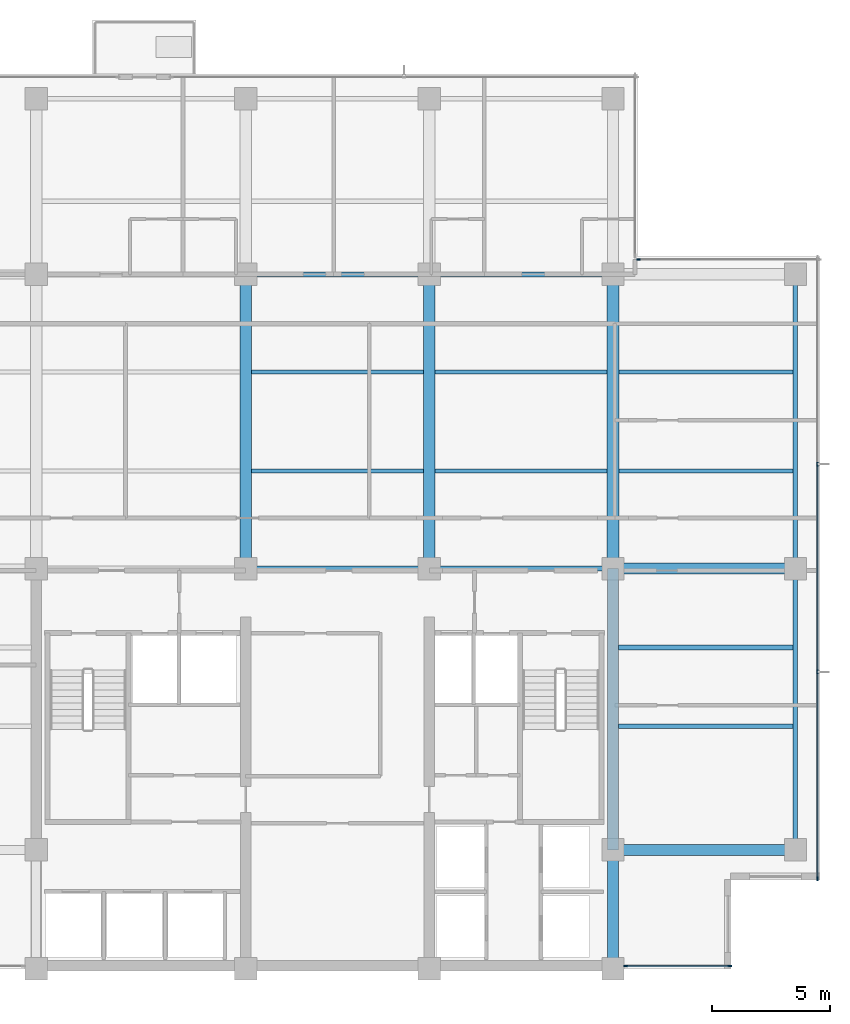
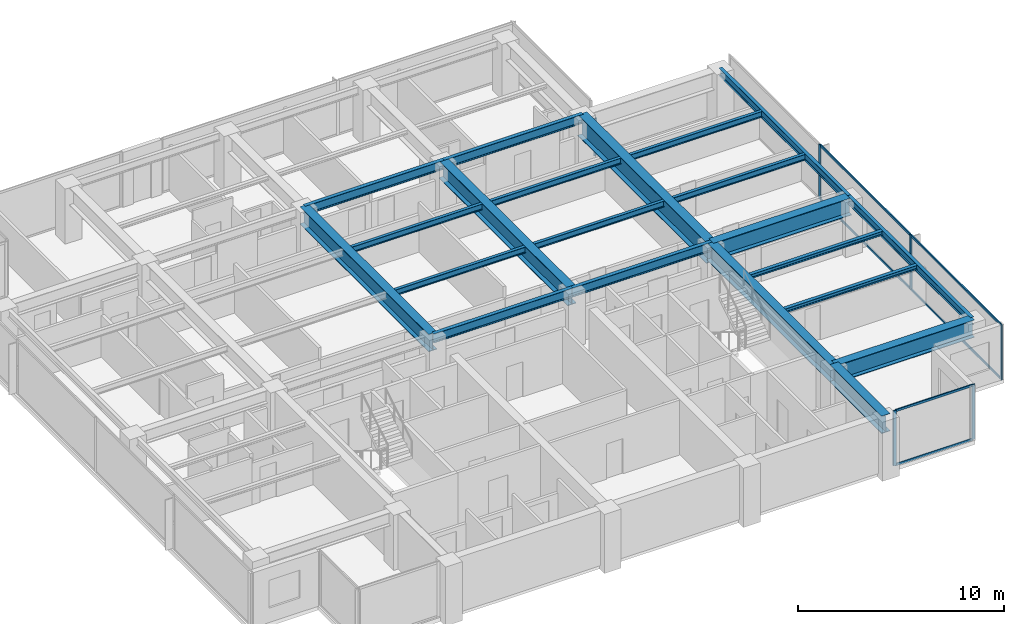
# One storey, part 3 of 14: 21 beams, 12 members, 3 elements without a shape of their own.
"""IFC4 building model written with IfcOpenShell, lengths in metres."""

from ifc_helpers import new_model, si_unit, direction, frame, origin, origin_2d, place, context, subcontext, project, spatial, rectangle, i_section, extrude, material, layer, layer_set, material_profile, profile_set, type_object, element, aggregate, save


model = new_model("IFC4")

# Units and contexts
model_context = context("Model", 3, precision=1e-05, world=origin(), true_north=direction((0.0, 1.0)))
body_context = subcontext(model_context, "Body", "Model", "MODEL_VIEW")
ifc_project = project(units=[si_unit("LENGTHUNIT", "METRE"), si_unit("AREAUNIT", "SQUARE_METRE"), si_unit("VOLUMEUNIT", "CUBIC_METRE"), si_unit("PLANEANGLEUNIT", "RADIAN"), si_unit("MASSUNIT", "GRAM", prefix="KILO")], contexts=[model_context])

# Site, building, storey
site_placement = place(None, origin())
site = spatial("IfcSite", under=ifc_project, at=site_placement, CompositionType="ELEMENT")
building_placement = place(site_placement, origin())
building = spatial("IfcBuilding", under=site, at=building_placement, Name="Qalmaran Belvedere Hotel", CompositionType="ELEMENT")
storey_placement = place(building_placement, frame((0.0, 0.0, 235.39990234375)))
storey = spatial("IfcBuildingStorey", under=building, at=storey_placement, Name="L60", CompositionType="ELEMENT", Elevation=235.39990234375)

# Beams
ifc_material_1 = material(Name="Steel S355JR", Category="steel")
ifc_material_profile_1 = material_profile(ifc_material_1, i_section(OverallWidth=0.201904296875, OverallDepth=0.2470703125, WebThickness=0.00732421875, FlangeThickness=0.010986328125, FilletRadius=0.011962890625, at=origin_2d()), Name="W250X49")
ifc_profile_set_1 = profile_set([ifc_material_profile_1], Name="Steel S355JR")
beam_type_1 = type_object("IfcBeamType", Name="BM-JST-W250X49", PredefinedType="JOIST", material=ifc_profile_set_1)
for number, where, z_axis, x_axis, name in (
    (1, (45.0380859375, 13.800048828125, 3.13671875), (1.0, 0.0, 0.0), (0.0, 1.0, 0.0), "L60 East Wing Joist 039"),
    (2, (45.0380859375, 17.14990234375, 3.13671875), (1.0, 0.0, 0.0), (0.0, 1.0, 0.0), "L60 East Wing Joist 041"),
):
    element("IfcBeam", number, at=place(storey_placement, frame(where, z_axis=z_axis, x_axis=x_axis)), inside=storey, type_object=beam_type_1, Name=name, PredefinedType="JOIST", context=body_context, shape_type="SweptSolid", body=[
        extrude(i_section(OverallWidth=0.201904296875, OverallDepth=0.2470703125, WebThickness=0.00732421875, FlangeThickness=0.010986328125, FilletRadius=0.011962890625, at=origin_2d()), origin(), (0.0, 0.0, 1.0), 7.41796875),
    ])
ifc_material_profile_2 = material_profile(ifc_material_1, i_section(OverallWidth=0.172119140625, OverallDepth=0.35791015625, WebThickness=0.0078125, FlangeThickness=0.01318359375, FilletRadius=0.014892578125, at=origin_2d()), Name="W360X57")
ifc_profile_set_2 = profile_set([ifc_material_profile_2], Name="Steel S355JR")
beam_type_2 = type_object("IfcBeamType", Name="BM-SB4-W360X57", PredefinedType="BEAM", material=ifc_profile_set_2)
beam_1_placement = place(storey_placement, frame((29.43798828125, 24.64990234375, 3.0810546875), z_axis=(1.0, 0.0, 0.0), x_axis=(0.0, 1.0, 0.0)))
element("IfcBeam", 3, at=beam_1_placement, inside=storey, type_object=beam_type_2, Name="L60 Secondary Floor Beam 030", PredefinedType="BEAM", context=body_context, shape_type="SweptSolid", body=[
    extrude(i_section(OverallWidth=0.172119140625, OverallDepth=0.35791015625, WebThickness=0.0078125, FlangeThickness=0.01318359375, FilletRadius=0.014892578125, at=origin_2d()), origin(), (0.0, 0.0, 1.0), 7.323974609375),
])
beam_2_placement = place(storey_placement, frame((37.238037109375, 24.64990234375, 3.0810546875), z_axis=(1.0, 0.0, 0.0), x_axis=(0.0, 1.0, 0.0)))
element("IfcBeam", 4, at=beam_2_placement, inside=storey, type_object=beam_type_2, Name="L60 Secondary Floor Beam 031", PredefinedType="BEAM", context=body_context, shape_type="SweptSolid", body=[
    extrude(i_section(OverallWidth=0.172119140625, OverallDepth=0.35791015625, WebThickness=0.0078125, FlangeThickness=0.01318359375, FilletRadius=0.014892578125, at=origin_2d()), origin(), (0.0, 0.0, 1.0), 7.303955078125),
])
beam_3_placement = place(storey_placement, frame((45.05810546875, 24.64990234375, 3.0810546875), z_axis=(1.0, 0.0, 0.0), x_axis=(0.0, 1.0, 0.0)))
element("IfcBeam", 5, at=beam_3_placement, inside=storey, type_object=beam_type_2, Name="L60 East Secondary Beam 032", PredefinedType="BEAM", context=body_context, shape_type="SweptSolid", body=[
    extrude(i_section(OverallWidth=0.172119140625, OverallDepth=0.35791015625, WebThickness=0.0078125, FlangeThickness=0.01318359375, FilletRadius=0.014892578125, at=origin_2d()), origin(), (0.0, 0.0, 1.0), 7.39794921875),
])
beam_4_placement = place(storey_placement, frame((29.43798828125, 28.85009765625, 3.0810546875), z_axis=(1.0, 0.0, 0.0), x_axis=(0.0, 1.0, 0.0)))
element("IfcBeam", 6, at=beam_4_placement, inside=storey, type_object=beam_type_2, Name="L60 Secondary Floor Beam 035", PredefinedType="BEAM", context=body_context, shape_type="SweptSolid", body=[
    extrude(i_section(OverallWidth=0.172119140625, OverallDepth=0.35791015625, WebThickness=0.0078125, FlangeThickness=0.01318359375, FilletRadius=0.014892578125, at=origin_2d()), origin(), (0.0, 0.0, 1.0), 7.323974609375),
])
beam_5_placement = place(storey_placement, frame((37.238037109375, 28.85009765625, 3.0810546875), z_axis=(1.0, 0.0, 0.0), x_axis=(0.0, 1.0, 0.0)))
element("IfcBeam", 7, at=beam_5_placement, inside=storey, type_object=beam_type_2, Name="L60 Secondary Floor Beam 036", PredefinedType="BEAM", context=body_context, shape_type="SweptSolid", body=[
    extrude(i_section(OverallWidth=0.172119140625, OverallDepth=0.35791015625, WebThickness=0.0078125, FlangeThickness=0.01318359375, FilletRadius=0.014892578125, at=origin_2d()), origin(), (0.0, 0.0, 1.0), 7.303955078125),
])
beam_6_placement = place(storey_placement, frame((45.05810546875, 28.85009765625, 3.0810546875), z_axis=(1.0, 0.0, 0.0), x_axis=(0.0, 1.0, 0.0)))
element("IfcBeam", 8, at=beam_6_placement, inside=storey, type_object=beam_type_2, Name="L60 East Secondary Beam 037", PredefinedType="BEAM", context=body_context, shape_type="SweptSolid", body=[
    extrude(i_section(OverallWidth=0.172119140625, OverallDepth=0.35791015625, WebThickness=0.0078125, FlangeThickness=0.01318359375, FilletRadius=0.014892578125, at=origin_2d()), origin(), (0.0, 0.0, 1.0), 7.39794921875),
])
ifc_material_profile_3 = material_profile(ifc_material_1, i_section(OverallWidth=0.19189453125, OverallDepth=0.462890625, WebThickness=0.010498046875, FlangeThickness=0.017578125, FilletRadius=0.01611328125, at=origin_2d()), Name="W460X89")
ifc_profile_set_3 = profile_set([ifc_material_profile_3], Name="Steel S355JR")
beam_type_3 = type_object("IfcBeamType", Name="BM-SP2-W460X89", PredefinedType="SPANDREL", material=ifc_profile_set_3)
beam_7_placement = place(storey_placement, frame((52.550048828125, 8.550048828125, 3.028564453125), z_axis=(0.0, 1.0, 0.0), x_axis=(-1.0, 0.0, 0.0)))
element("IfcBeam", 9, at=beam_7_placement, inside=storey, type_object=beam_type_3, Name="L60 Perimeter Spandrel 03", PredefinedType="SPANDREL", context=body_context, shape_type="SweptSolid", body=[
    extrude(i_section(OverallWidth=0.19189453125, OverallDepth=0.462890625, WebThickness=0.010498046875, FlangeThickness=0.017578125, FilletRadius=0.01611328125, at=origin_2d()), origin(), (0.0, 0.0, 1.0), 11.949951171875),
])
beam_8_placement = place(storey_placement, frame((52.550048828125, 20.5, 3.028564453125), z_axis=(0.0, 1.0, 0.0), x_axis=(-1.0, 0.0, 0.0)))
element("IfcBeam", 10, at=beam_8_placement, inside=storey, type_object=beam_type_3, Name="L60 Perimeter Spandrel 04", PredefinedType="SPANDREL", context=body_context, shape_type="SweptSolid", body=[
    extrude(i_section(OverallWidth=0.19189453125, OverallDepth=0.462890625, WebThickness=0.010498046875, FlangeThickness=0.017578125, FilletRadius=0.01611328125, at=origin_2d()), origin(), (0.0, 0.0, 1.0), 12.5),
])
ifc_material_profile_4 = material_profile(ifc_material_1, i_section(OverallWidth=0.52001953125, OverallDepth=1.25, WebThickness=0.02197265625, FlangeThickness=0.031982421875, at=origin_2d()), Name="PG1250X520X32")
ifc_profile_set_4 = profile_set([ifc_material_profile_4], Name="Steel S355JR")
beam_type_4 = type_object("IfcBeamType", Name="BM-TG7-PG1250X520", PredefinedType="USERDEFINED", material=ifc_profile_set_4)
beam_9_placement = place(storey_placement, frame((44.800048828125, 20.5, 2.635009765625), z_axis=(0.0, 1.0, 0.0), x_axis=(-1.0, 0.0, 0.0)))
element("IfcBeam", 11, at=beam_9_placement, inside=storey, type_object=beam_type_4, Name="L60 Mid-Plate N-S Girder 20", ObjectType="GIRDER", PredefinedType="USERDEFINED", context=body_context, shape_type="SweptSolid", body=[
    extrude(i_section(OverallWidth=0.52001953125, OverallDepth=1.25, WebThickness=0.02197265625, FlangeThickness=0.031982421875, at=origin_2d()), origin(), (0.0, 0.0, 1.0), 12.5),
])
ifc_material_profile_5 = material_profile(ifc_material_1, i_section(OverallWidth=0.47998046875, OverallDepth=1.0400390625, WebThickness=0.02197265625, FlangeThickness=0.033935546875, at=origin_2d()), Name="PG1040X480X34")
ifc_profile_set_5 = profile_set([ifc_material_profile_5], Name="Steel S355JR")
beam_type_5 = type_object("IfcBeamType", Name="BM-TG8-PG1040X480", PredefinedType="USERDEFINED", material=ifc_profile_set_5)
for number, where, z_axis, x_axis, name in (
    (12, (29.199951171875, 20.5, 2.739990234375), (0.0, 1.0, 0.0), (-1.0, 0.0, 0.0), "L60 Mid-Plate N-S Girder 16"),
    (13, (37.0, 20.5, 2.739990234375), (0.0, 1.0, 0.0), (-1.0, 0.0, 0.0), "L60 Mid-Plate N-S Girder 18"),
):
    element("IfcBeam", number, at=place(storey_placement, frame(where, z_axis=z_axis, x_axis=x_axis)), inside=storey, type_object=beam_type_5, Name=name, ObjectType="GIRDER", PredefinedType="USERDEFINED", context=body_context, shape_type="SweptSolid", body=[
        extrude(i_section(OverallWidth=0.47998046875, OverallDepth=1.0400390625, WebThickness=0.02197265625, FlangeThickness=0.033935546875, at=origin_2d()), origin(), (0.0, 0.0, 1.0), 12.5),
    ])
beam_10_placement = place(storey_placement, frame((44.800048828125, 3.5, 2.739990234375), z_axis=(0.0, 1.0, 0.0), x_axis=(-1.0, 0.0, 0.0)))
element("IfcBeam", 14, at=beam_10_placement, inside=storey, type_object=beam_type_5, Name="L60 East Core Edge Girder A", ObjectType="GIRDER", PredefinedType="USERDEFINED", context=body_context, shape_type="SweptSolid", body=[
    extrude(i_section(OverallWidth=0.47998046875, OverallDepth=1.0400390625, WebThickness=0.02197265625, FlangeThickness=0.033935546875, at=origin_2d()), origin(), (0.0, 0.0, 1.0), 5.050048828125),
])
beam_11_placement = place(storey_placement, frame((44.800048828125, 8.550048828125, 2.739990234375), z_axis=(0.0, 1.0, 0.0), x_axis=(-1.0, 0.0, 0.0)))
element("IfcBeam", 15, at=beam_11_placement, inside=storey, type_object=beam_type_5, Name="L60 East Core Edge Girder B", ObjectType="GIRDER", PredefinedType="USERDEFINED", context=body_context, shape_type="SweptSolid", body=[
    extrude(i_section(OverallWidth=0.47998046875, OverallDepth=1.0400390625, WebThickness=0.02197265625, FlangeThickness=0.033935546875, at=origin_2d()), origin(), (0.0, 0.0, 1.0), 11.949951171875),
])
for number, where, z_axis, x_axis, name in (
    (16, (44.800048828125, 8.550048828125, 2.739990234375), (1.0, 0.0, 0.0), (0.0, 1.0, 0.0), "L60 East Wing Setback Transfer Girder 25"),
    (17, (44.800048828125, 20.5, 2.739990234375), (1.0, 0.0, 0.0), (0.0, 1.0, 0.0), "L60 East Wing Setback Transfer Girder 26"),
):
    element("IfcBeam", number, at=place(storey_placement, frame(where, z_axis=z_axis, x_axis=x_axis)), inside=storey, type_object=beam_type_5, Name=name, ObjectType="GIRDER", PredefinedType="USERDEFINED", context=body_context, shape_type="SweptSolid", body=[
        extrude(i_section(OverallWidth=0.47998046875, OverallDepth=1.0400390625, WebThickness=0.02197265625, FlangeThickness=0.033935546875, at=origin_2d()), origin(), (0.0, 0.0, 1.0), 7.75),
    ])
ifc_material_profile_6 = material_profile(ifc_material_1, i_section(OverallWidth=0.2109375, OverallDepth=0.5390625, WebThickness=0.01171875, FlangeThickness=0.018798828125, FilletRadius=0.01806640625, at=origin_2d()), Name="W530X109")
ifc_profile_set_6 = profile_set([ifc_material_profile_6], Name="Steel S355JR")
beam_type_6 = type_object("IfcBeamType", Name="BM-Z4-W530X109", PredefinedType="USERDEFINED", material=ifc_profile_set_6)
for number, where, z_axis, x_axis, name in (
    (18, (29.199951171875, 20.5, 2.990478515625), (1.0, 0.0, 0.0), (0.0, 1.0, 0.0), "L60 Interior E-W Girder 09"),
    (19, (37.0, 20.5, 2.990478515625), (1.0, 0.0, 0.0), (0.0, 1.0, 0.0), "L60 Interior E-W Girder 10"),
    (20, (29.199951171875, 33.0, 2.990478515625), (1.0, 0.0, 0.0), (0.0, 1.0, 0.0), "L60 Interior E-W Girder 12"),
    (21, (37.0, 33.0, 2.990478515625), (1.0, 0.0, 0.0), (0.0, 1.0, 0.0), "L60 Interior E-W Girder 13"),
):
    element("IfcBeam", number, at=place(storey_placement, frame(where, z_axis=z_axis, x_axis=x_axis)), inside=storey, type_object=beam_type_6, Name=name, ObjectType="GIRDER", PredefinedType="USERDEFINED", context=body_context, shape_type="SweptSolid", body=[
        extrude(i_section(OverallWidth=0.2109375, OverallDepth=0.5390625, WebThickness=0.01171875, FlangeThickness=0.018798828125, FilletRadius=0.01806640625, at=origin_2d()), origin(), (0.0, 0.0, 1.0), 7.800048828125),
    ])

# Curtain wall, members
ifc_material_2 = material(Name="Anodised Bronze Aluminium", Category="aluminium")
ifc_layer = layer(ifc_material_2, 0.18994140625, Name="Anodised Bronze Aluminium")
ifc_layer_set = layer_set([ifc_layer], Name="Anodised Bronze Aluminium")
curtain_wall_type = type_object("IfcCurtainWallType", Name="CW5-TOWER-UPPER", PredefinedType="NOTDEFINED", material=ifc_layer_set)
curtain_wall_1_placement = place(storey_placement, origin())
curtain_wall_1 = element("IfcCurtainWall", 22, at=curtain_wall_1_placement, inside=storey, type_object=curtain_wall_type, Name="L60 Curtain Wall CW5", PredefinedType="NOTDEFINED")
ifc_material_profile_7 = material_profile(ifc_material_2, rectangle(XDim=0.06494140625, YDim=0.1650390625, at=origin_2d()), Name="CWM65X165")
ifc_profile_set_7 = profile_set([ifc_material_profile_7], Name="Anodised Bronze Aluminium")
member_type_1 = type_object("IfcMemberType", Name="CWM-65X165", PredefinedType="MULLION", material=ifc_profile_set_7)
member_1_placement = place(storey_placement, frame((45.347412109375, 3.6201171875, 0.0), z_axis=(0.0, 0.0, 1.0), x_axis=(0.0, 1.0, 0.0)))
member_1 = element("IfcMember", 23, at=member_1_placement, type_object=member_type_1, Name="CW5 mullion 1", PredefinedType="MULLION", context=body_context, shape_type="SweptSolid", body=[
    extrude(rectangle(XDim=0.06494140625, YDim=0.1650390625, at=origin_2d()), origin(), (0.0, 0.0, 1.0), 3.260009765625),
])
member_2_placement = place(storey_placement, frame((49.767578125, 3.6201171875, 0.0), z_axis=(0.0, 0.0, 1.0), x_axis=(0.0, 1.0, 0.0)))
member_2 = element("IfcMember", 24, at=member_2_placement, type_object=member_type_1, Name="CW5 mullion 2", PredefinedType="MULLION", context=body_context, shape_type="SweptSolid", body=[
    extrude(rectangle(XDim=0.06494140625, YDim=0.1650390625, at=origin_2d()), origin(), (0.0, 0.0, 1.0), 3.260009765625),
])

curtain_wall_2_placement = place(storey_placement, origin())
curtain_wall_2 = element("IfcCurtainWall", 25, at=curtain_wall_2_placement, inside=storey, type_object=curtain_wall_type, Name="L60 Curtain Wall CW5", PredefinedType="NOTDEFINED")
member_3_placement = place(storey_placement, frame((53.47998046875, 7.33251953125, 0.0), z_axis=(0.0, 0.0, 1.0), x_axis=(-1.0, 0.0, 0.0)))
member_3 = element("IfcMember", 26, at=member_3_placement, type_object=member_type_1, Name="CW5 mullion 1", PredefinedType="MULLION", context=body_context, shape_type="SweptSolid", body=[
    extrude(rectangle(XDim=0.06494140625, YDim=0.1650390625, at=origin_2d()), origin(), (0.0, 0.0, 1.0), 3.260009765625),
])
member_4_placement = place(storey_placement, frame((53.47998046875, 16.11669921875, 0.0), z_axis=(0.0, 0.0, 1.0), x_axis=(-1.0, 0.0, 0.0)))
member_4 = element("IfcMember", 27, at=member_4_placement, type_object=member_type_1, Name="CW5 mullion 2", PredefinedType="MULLION", context=body_context, shape_type="SweptSolid", body=[
    extrude(rectangle(XDim=0.06494140625, YDim=0.1650390625, at=origin_2d()), origin(), (0.0, 0.0, 1.0), 3.260009765625),
])
member_5_placement = place(storey_placement, frame((53.47998046875, 24.933349609375, 0.0), z_axis=(0.0, 0.0, 1.0), x_axis=(-1.0, 0.0, 0.0)))
member_5 = element("IfcMember", 28, at=member_5_placement, type_object=member_type_1, Name="CW5 mullion 3", PredefinedType="MULLION", context=body_context, shape_type="SweptSolid", body=[
    extrude(rectangle(XDim=0.06494140625, YDim=0.1650390625, at=origin_2d()), origin(), (0.0, 0.0, 1.0), 3.260009765625),
])

# Curtain wall, member
curtain_wall_3_placement = place(storey_placement, origin())
curtain_wall_3 = element("IfcCurtainWall", 29, at=curtain_wall_3_placement, inside=storey, type_object=curtain_wall_type, Name="L60 Curtain Wall CW5", PredefinedType="NOTDEFINED")
member_6_placement = place(storey_placement, frame((45.882568359375, 33.6298828125, 0.0), z_axis=(0.0, 0.0, 1.0), x_axis=(0.0, -1.0, 0.0)))
member_6 = element("IfcMember", 30, at=member_6_placement, type_object=member_type_1, Name="CW5 mullion 2", PredefinedType="MULLION", context=body_context, shape_type="SweptSolid", body=[
    extrude(rectangle(XDim=0.06494140625, YDim=0.1650390625, at=origin_2d()), origin(), (0.0, 0.0, 1.0), 2.205078125),
])
aggregate(curtain_wall_3, [member_6])

# Member
ifc_material_profile_8 = material_profile(ifc_material_2, rectangle(XDim=0.06494140625, YDim=0.1298828125, at=origin_2d()), Name="CWT65X130")
ifc_profile_set_8 = profile_set([ifc_material_profile_8], Name="Anodised Bronze Aluminium")
member_type_2 = type_object("IfcMemberType", Name="CWT-65X130", PredefinedType="USERDEFINED", material=ifc_profile_set_8)
member_7_placement = place(storey_placement, frame((45.3798828125, 3.6201171875, 0.03271484375), z_axis=(1.0, 0.0, 0.0), x_axis=(0.0, 1.0, 0.0)))
member_7 = element("IfcMember", 31, at=member_7_placement, type_object=member_type_2, Name="CW5 transom 1.1", ObjectType="TRANSOM", PredefinedType="USERDEFINED", context=body_context, shape_type="SweptSolid", body=[
    extrude(rectangle(XDim=0.06494140625, YDim=0.1298828125, at=origin_2d()), origin(), (0.0, 0.0, 1.0), 4.355224609375),
])

member_8_placement = place(storey_placement, frame((45.3798828125, 3.6201171875, 3.2275390625), z_axis=(1.0, 0.0, 0.0), x_axis=(0.0, 1.0, 0.0)))
member_8 = element("IfcMember", 32, at=member_8_placement, type_object=member_type_2, Name="CW5 transom 1.2", ObjectType="TRANSOM", PredefinedType="USERDEFINED", context=body_context, shape_type="SweptSolid", body=[
    extrude(rectangle(XDim=0.06494140625, YDim=0.1298828125, at=origin_2d()), origin(), (0.0, 0.0, 1.0), 4.355224609375),
])

aggregate(curtain_wall_1, [member_1, member_2, member_7, member_8])

member_9_placement = place(storey_placement, frame((53.47998046875, 7.364990234375, 0.03271484375), z_axis=(0.0, 1.0, 0.0), x_axis=(-1.0, 0.0, 0.0)))
member_9 = element("IfcMember", 33, at=member_9_placement, type_object=member_type_2, Name="CW5 transom 1.1", ObjectType="TRANSOM", PredefinedType="USERDEFINED", context=body_context, shape_type="SweptSolid", body=[
    extrude(rectangle(XDim=0.06494140625, YDim=0.1298828125, at=origin_2d()), origin(), (0.0, 0.0, 1.0), 8.71923828125),
])

member_10_placement = place(storey_placement, frame((53.47998046875, 7.364990234375, 3.2275390625), z_axis=(0.0, 1.0, 0.0), x_axis=(-1.0, 0.0, 0.0)))
member_10 = element("IfcMember", 34, at=member_10_placement, type_object=member_type_2, Name="CW5 transom 1.2", ObjectType="TRANSOM", PredefinedType="USERDEFINED", context=body_context, shape_type="SweptSolid", body=[
    extrude(rectangle(XDim=0.06494140625, YDim=0.1298828125, at=origin_2d()), origin(), (0.0, 0.0, 1.0), 8.71923828125),
])

member_11_placement = place(storey_placement, frame((53.47998046875, 16.149169921875, 0.03271484375), z_axis=(0.0, 1.0, 0.0), x_axis=(-1.0, 0.0, 0.0)))
member_11 = element("IfcMember", 35, at=member_11_placement, type_object=member_type_2, Name="CW5 transom 2.1", ObjectType="TRANSOM", PredefinedType="USERDEFINED", context=body_context, shape_type="SweptSolid", body=[
    extrude(rectangle(XDim=0.06494140625, YDim=0.1298828125, at=origin_2d()), origin(), (0.0, 0.0, 1.0), 8.751708984375),
])

member_12_placement = place(storey_placement, frame((53.47998046875, 16.149169921875, 3.2275390625), z_axis=(0.0, 1.0, 0.0), x_axis=(-1.0, 0.0, 0.0)))
member_12 = element("IfcMember", 36, at=member_12_placement, type_object=member_type_2, Name="CW5 transom 2.2", ObjectType="TRANSOM", PredefinedType="USERDEFINED", context=body_context, shape_type="SweptSolid", body=[
    extrude(rectangle(XDim=0.06494140625, YDim=0.1298828125, at=origin_2d()), origin(), (0.0, 0.0, 1.0), 8.751708984375),
])

aggregate(curtain_wall_2, [member_3, member_4, member_5, member_9, member_10, member_11, member_12])

save(model, "model.ifc")
